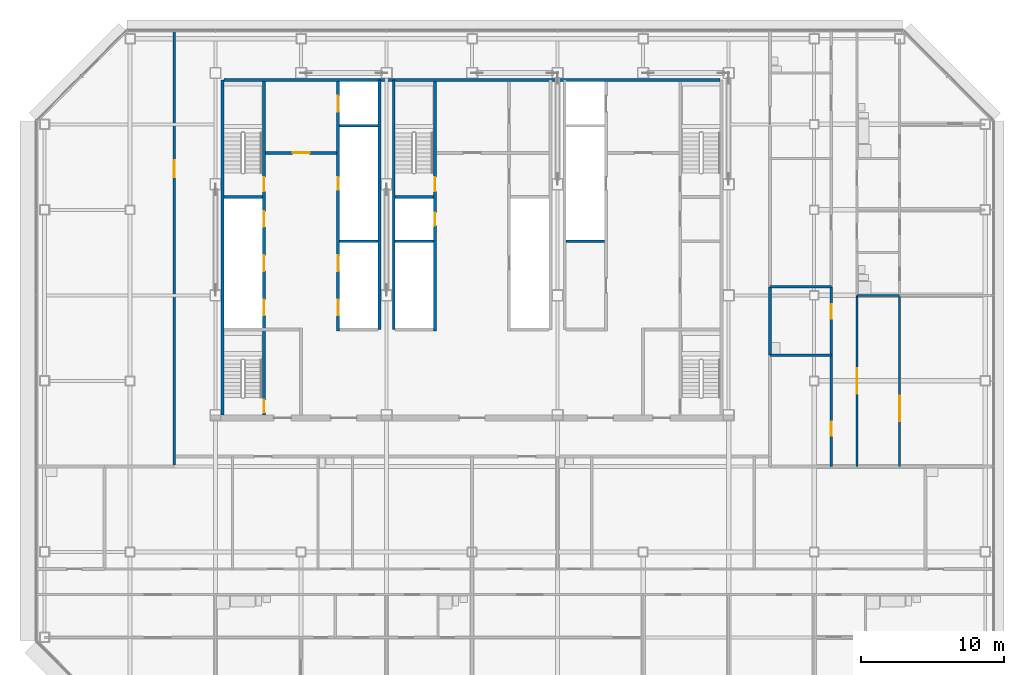
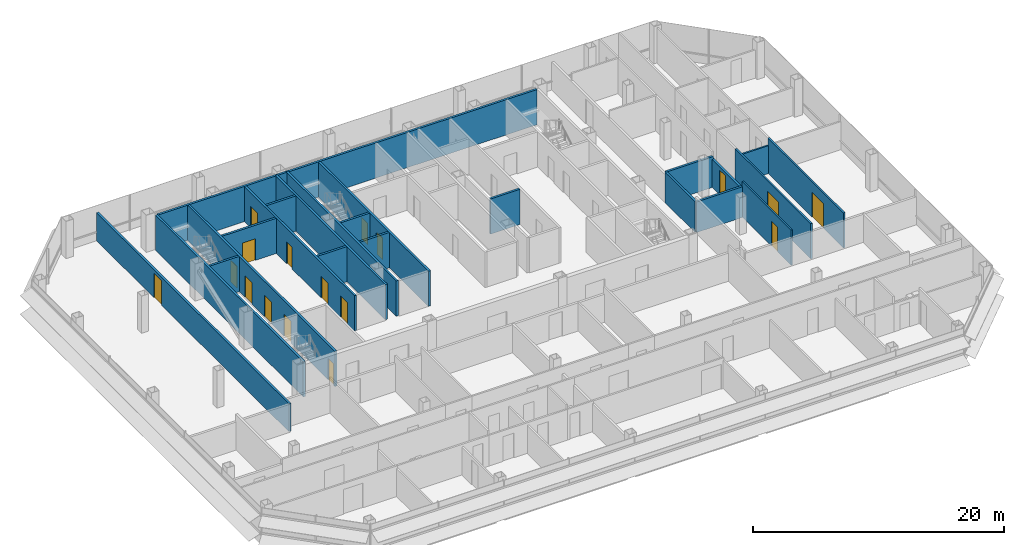
# One storey, part 21 of 26: 23 walls, 17 doors, 17 openings.
"""IFC4 building model written with IfcOpenShell, lengths in metres."""

from ifc_helpers import new_model, si_unit, direction, frame, frame_2d, origin, place, context, subcontext, project, spatial, rectangle, extrude, material, layer, layer_set, type_object, element, fill, save


model = new_model("IFC4")

# Units and contexts
model_context = context("Model", 3, precision=1e-05, world=origin(), true_north=direction((0.0, 1.0)))
body_context = subcontext(model_context, "Body", "Model", "MODEL_VIEW")
ifc_project = project(units=[si_unit("LENGTHUNIT", "METRE"), si_unit("AREAUNIT", "SQUARE_METRE"), si_unit("VOLUMEUNIT", "CUBIC_METRE"), si_unit("PLANEANGLEUNIT", "RADIAN"), si_unit("MASSUNIT", "GRAM", prefix="KILO")], contexts=[model_context])

# Site, building, storey
site_placement = place(None, origin())
site = spatial("IfcSite", under=ifc_project, at=site_placement, CompositionType="ELEMENT")
building_placement = place(site_placement, origin())
building = spatial("IfcBuilding", under=site, at=building_placement, Name="Sorahane Residences", CompositionType="ELEMENT")
storey_placement = place(building_placement, frame((0.0, 0.0, 151.0)))
storey = spatial("IfcBuildingStorey", under=building, at=storey_placement, Name="L34", CompositionType="ELEMENT", Elevation=151.0)

# Walls
ifc_material_1 = material(Name="Concrete C30", Category="concrete")
ifc_layer_1 = layer(ifc_material_1, 0.199951171875)
ifc_layer_set_1 = layer_set([ifc_layer_1], Name="Core face wall 200 EI 180")
wall_type_1 = type_object("IfcWallType", Name="Core face wall 200 EI 180", PredefinedType="SOLIDWALL", material=ifc_layer_set_1)
wall_1_placement = place(storey_placement, frame((6.5, 21.60009765625, 0.0), z_axis=(0.0, 0.0, 1.0), x_axis=(0.0, 1.0, 0.0)))
element("IfcWall", 1, at=wall_1_placement, inside=storey, type_object=wall_type_1, Name="L34 core face wall", PredefinedType="SOLIDWALL", context=body_context, shape_type="SweptSolid", body=[
    extrude(rectangle(XDim=23.5, YDim=0.199951171875, at=frame_2d((11.75, 0.0))), origin(), (0.0, 0.0, 1.0), 3.419921875),
])
wall_2_placement = place(storey_placement, frame((6.60009765625, 45.10009765625, 0.0), z_axis=(0.0, 0.0, 1.0), x_axis=(1.0, 0.0, 0.0)))
element("IfcWall", 2, at=wall_2_placement, inside=storey, type_object=wall_type_1, Name="L34 core face wall", PredefinedType="SOLIDWALL", context=body_context, shape_type="SweptSolid", body=[
    extrude(rectangle(XDim=34.7998046875, YDim=0.199951171875, at=frame_2d((17.39990234375, 0.0))), origin(), (0.0, 0.0, 1.0), 3.419921875),
])
for number, where, z_axis, x_axis, name in (
    (3, (17.5, 27.60009765625, 0.0), (0.0, 0.0, 1.0), (0.0, 1.0, 0.0), "L34 core face wall"),
    (4, (18.5, 27.60009765625, 0.0), (0.0, 0.0, 1.0), (0.0, 1.0, 0.0), "L34 core face wall"),
):
    element("IfcWall", number, at=place(storey_placement, frame(where, z_axis=z_axis, x_axis=x_axis)), inside=storey, type_object=wall_type_1, Name=name, PredefinedType="SOLIDWALL", context=body_context, shape_type="SweptSolid", body=[
        extrude(rectangle(XDim=17.5, YDim=0.199951171875, at=frame_2d((8.75, 0.0))), origin(), (0.0, 0.0, 1.0), 3.419921875),
    ])

# Wall, opening, door
ifc_material_2 = material(Name="Concrete blockwork C20 wall", Category="masonry")
ifc_layer_2 = layer(ifc_material_2, 0.199951171875)
ifc_layer_set_2 = layer_set([ifc_layer_2], Name="Corridor wall 200 EI 120")
wall_type_2 = type_object("IfcWallType", Name="Corridor wall 200 EI 120", PredefinedType="SOLIDWALL", material=ifc_layer_set_2)
wall_3_placement = place(storey_placement, frame((3.10009765625, 18.0, 0.0), z_axis=(0.0, 0.0, 1.0), x_axis=(0.0, 1.0, 0.0)))
wall_3 = element("IfcWall", 5, at=wall_3_placement, inside=storey, type_object=wall_type_2, Name="L34 corridor wall", PredefinedType="SOLIDWALL", context=body_context, shape_type="SweptSolid", body=[
    extrude(rectangle(XDim=30.60009765625, YDim=0.199951171875, at=frame_2d((15.300048828125, 0.0))), origin(), (0.0, 0.0, 1.0), 2.719970703125),
])
opening_1_placement = place(wall_3_placement, frame((20.27001953125, 0.0, 0.0)))
opening_1 = element("IfcOpeningElement", 6, at=opening_1_placement, cuts=wall_3, Name="Opening L34-45", PredefinedType="OPENING", context=body_context, shape_type="SweptSolid", body=[
    extrude(rectangle(XDim=1.199951171875, YDim=2.39990234375, at=frame_2d((0.60009765625, 1.199951171875))), frame((0.0, 0.10986328125, 0.0), z_axis=(0.0, -1.0, 0.0), x_axis=(1.0, 0.0, 0.0)), (0.0, 0.0, 1.0), 0.219970703125),
])
ifc_material_3 = material(Name="Steel", Category="steel")
door_type_1 = type_object("IfcDoorType", Name="Lobby door 1200x2400 FD60", OperationType="NOTDEFINED", PredefinedType="DOOR", material=ifc_material_3)
door_1_placement = place(opening_1_placement, origin())
door_1 = element("IfcDoor", 7, at=door_1_placement, inside=storey, type_object=door_type_1, Name="Lobby door L34-45", OperationType="SINGLE_SWING_RIGHT", OverallHeight=2.39990234375, OverallWidth=1.199951171875, PredefinedType="DOOR", context=body_context, shape_type="SweptSolid", body=[
    extrude(rectangle(XDim=1.199951171875, YDim=2.39990234375, at=frame_2d((0.60009765625, 1.199951171875))), frame((0.0, 0.02490234375, 0.0), z_axis=(0.0, -1.0, 0.0), x_axis=(1.0, 0.0, 0.0)), (0.0, 0.0, 1.0), 0.050048828125),
])
fill(opening_1, door_1)

ifc_material_4 = material(Name="Concrete C30", Category="concrete")
ifc_layer_3 = layer(ifc_material_4, 0.199951171875)
ifc_layer_set_3 = layer_set([ifc_layer_3], Name="Front room wall 200 EI 120")
wall_type_3 = type_object("IfcWallType", Name="Front room wall 200 EI 120", PredefinedType="PARTITIONING", material=ifc_layer_set_3)
wall_4_placement = place(storey_placement, frame((9.5, 40.0, 0.0), z_axis=(0.0, 0.0, 1.0), x_axis=(1.0, 0.0, 0.0)))
wall_4 = element("IfcWall", 8, at=wall_4_placement, inside=storey, type_object=wall_type_3, Name="L34 front room wall", PredefinedType="PARTITIONING", context=body_context, shape_type="SweptSolid", body=[
    extrude(rectangle(XDim=5.0, YDim=0.199951171875, at=frame_2d((2.5, 0.0))), origin(), (0.0, 0.0, 1.0), 3.419921875),
])
opening_2_placement = place(wall_4_placement, frame((1.89990234375, 0.0, 0.0)))
opening_2 = element("IfcOpeningElement", 9, at=opening_2_placement, cuts=wall_4, Name="Opening L34-C06", PredefinedType="OPENING", context=body_context, shape_type="SweptSolid", body=[
    extrude(rectangle(XDim=1.199951171875, YDim=2.10009765625, at=frame_2d((0.60009765625, 1.050048828125))), frame((0.0, 0.10986328125, 0.0), z_axis=(0.0, -1.0, 0.0), x_axis=(1.0, 0.0, 0.0)), (0.0, 0.0, 1.0), 0.219970703125),
])
ifc_material_5 = material(Name="Steel", Category="steel")
door_type_2 = type_object("IfcDoorType", Name="Front room door 1200x2100 FD120", OperationType="NOTDEFINED", PredefinedType="DOOR", material=ifc_material_5)
door_2_placement = place(opening_2_placement, frame((1.199951171875, 0.0, 0.0), z_axis=(0.0, 0.0, 1.0), x_axis=(-1.0, 0.0, 0.0)))
door_2 = element("IfcDoor", 10, at=door_2_placement, inside=storey, type_object=door_type_2, Name="Front room door Firefighting lobby FF1 front room L34", OperationType="DOUBLE_DOOR_SINGLE_SWING", OverallHeight=2.10009765625, OverallWidth=1.199951171875, PredefinedType="DOOR", context=body_context, shape_type="SweptSolid", body=[
    extrude(rectangle(XDim=1.199951171875, YDim=2.10009765625, at=frame_2d((0.60009765625, 1.050048828125))), frame((0.0, 0.02490234375, 0.0), z_axis=(0.0, -1.0, 0.0), x_axis=(1.0, 0.0, 0.0)), (0.0, 0.0, 1.0), 0.050048828125),
])
fill(opening_2, door_2)

# Wall
ifc_material_6 = material(Name="Concrete blockwork C20 wall", Category="masonry")
ifc_layer_4 = layer(ifc_material_6, 0.199951171875)
ifc_layer_set_4 = layer_set([ifc_layer_4], Name="Kitchen wall 200 EI 180")
wall_type_4 = type_object("IfcWallType", Name="Kitchen wall 200 EI 180", PredefinedType="SOLIDWALL", material=ifc_layer_set_4)
wall_5_placement = place(storey_placement, frame((44.89990234375, 25.800048828125, 0.0), z_axis=(0.0, 0.0, 1.0), x_axis=(0.0, 1.0, 0.0)))
element("IfcWall", 11, at=wall_5_placement, inside=storey, type_object=wall_type_4, Name="L34 kitchen wall", PredefinedType="SOLIDWALL", context=body_context, shape_type="SweptSolid", body=[
    extrude(rectangle(XDim=4.800048828125, YDim=0.199951171875, at=frame_2d((2.39990234375, 0.0))), origin(), (0.0, 0.0, 1.0), 2.969970703125),
])

# Wall, opening, door
wall_6_placement = place(storey_placement, frame((49.199951171875, 25.800048828125, 0.0), z_axis=(0.0, 0.0, 1.0), x_axis=(0.0, 1.0, 0.0)))
wall_6 = element("IfcWall", 12, at=wall_6_placement, inside=storey, type_object=wall_type_4, Name="L34 kitchen wall", PredefinedType="SOLIDWALL", context=body_context, shape_type="SweptSolid", body=[
    extrude(rectangle(XDim=4.800048828125, YDim=0.199951171875, at=frame_2d((2.39990234375, 0.0))), origin(), (0.0, 0.0, 1.0), 2.719970703125),
])
opening_3_placement = place(wall_6_placement, frame((2.56005859375, 0.0, 0.0)))
opening_3 = element("IfcOpeningElement", 13, at=opening_3_placement, cuts=wall_6, Name="Opening L34-30", PredefinedType="OPENING", context=body_context, shape_type="SweptSolid", body=[
    extrude(rectangle(XDim=1.0, YDim=2.39990234375, at=frame_2d((0.5, 1.199951171875))), frame((0.0, 0.10986328125, 0.0), z_axis=(0.0, -1.0, 0.0), x_axis=(1.0, 0.0, 0.0)), (0.0, 0.0, 1.0), 0.219970703125),
])
ifc_material_7 = material(Name="Steel", Category="steel")
door_type_3 = type_object("IfcDoorType", Name="Kitchen door 1000x2400 FD120", OperationType="NOTDEFINED", PredefinedType="DOOR", material=ifc_material_7)
door_3_placement = place(opening_3_placement, origin())
door_3 = element("IfcDoor", 14, at=door_3_placement, inside=storey, type_object=door_type_3, Name="Kitchen door L34-30", OperationType="SINGLE_SWING_RIGHT", OverallHeight=2.39990234375, OverallWidth=1.0, PredefinedType="DOOR", context=body_context, shape_type="SweptSolid", body=[
    extrude(rectangle(XDim=1.0, YDim=2.39990234375, at=frame_2d((0.5, 1.199951171875))), frame((0.0, 0.02490234375, 0.0), z_axis=(0.0, -1.0, 0.0), x_axis=(1.0, 0.0, 0.0)), (0.0, 0.0, 1.0), 0.050048828125),
])
fill(opening_3, door_3)

# Walls
for number, where, z_axis, x_axis, name in (
    (15, (44.89990234375, 25.800048828125, 0.0), (0.0, 0.0, 1.0), (1.0, 0.0, 0.0), "L34 kitchen wall"),
    (16, (44.89990234375, 30.60009765625, 0.0), (0.0, 0.0, 1.0), (1.0, 0.0, 0.0), "L34 kitchen wall"),
):
    element("IfcWall", number, at=place(storey_placement, frame(where, z_axis=z_axis, x_axis=x_axis)), inside=storey, type_object=wall_type_4, Name=name, PredefinedType="SOLIDWALL", context=body_context, shape_type="SweptSolid", body=[
        extrude(rectangle(XDim=4.300048828125, YDim=0.199951171875, at=frame_2d((2.14990234375, 0.0))), origin(), (0.0, 0.0, 1.0), 2.969970703125),
    ])

# Wall, openings, doors
ifc_material_8 = material(Name="Concrete C30", Category="concrete")
ifc_layer_5 = layer(ifc_material_8, 0.199951171875)
ifc_layer_set_5 = layer_set([ifc_layer_5], Name="Lift shaft wall 200 EI 120")
wall_type_5 = type_object("IfcWallType", Name="Lift shaft wall 200 EI 120", PredefinedType="SOLIDWALL", material=ifc_layer_set_5)
wall_7_placement = place(storey_placement, frame((14.60009765625, 27.5, 0.0), z_axis=(0.0, 0.0, 1.0), x_axis=(0.0, 1.0, 0.0)))
wall_7 = element("IfcWall", 17, at=wall_7_placement, inside=storey, type_object=wall_type_5, Name="L34 lift shaft wall", PredefinedType="SOLIDWALL", context=body_context, shape_type="SweptSolid", body=[
    extrude(rectangle(XDim=17.5, YDim=0.199951171875, at=frame_2d((8.75, 0.0))), origin(), (0.0, 0.0, 1.0), 3.419921875),
])
opening_4_placement = place(wall_7_placement, frame((1.10009765625, 0.0, 0.0)))
opening_4 = element("IfcOpeningElement", 18, at=opening_4_placement, cuts=wall_7, Name="Opening L34-C10", PredefinedType="OPENING", context=body_context, shape_type="SweptSolid", body=[
    extrude(rectangle(XDim=1.10009765625, YDim=2.10009765625, at=frame_2d((0.550048828125, 1.050048828125))), frame((0.0, 0.10986328125, 0.0), z_axis=(0.0, -1.0, 0.0), x_axis=(1.0, 0.0, 0.0)), (0.0, 0.0, 1.0), 0.219970703125),
])
opening_5_placement = place(wall_7_placement, frame((4.199951171875, 0.0, 0.0)))
opening_5 = element("IfcOpeningElement", 19, at=opening_5_placement, cuts=wall_7, Name="Opening L34-C11", PredefinedType="OPENING", context=body_context, shape_type="SweptSolid", body=[
    extrude(rectangle(XDim=1.10009765625, YDim=2.10009765625, at=frame_2d((0.550048828125, 1.050048828125))), frame((0.0, 0.10986328125, 0.0), z_axis=(0.0, -1.0, 0.0), x_axis=(1.0, 0.0, 0.0)), (0.0, 0.0, 1.0), 0.219970703125),
])
opening_6_placement = place(wall_7_placement, frame((15.39990234375, 0.0, 0.0)))
opening_6 = element("IfcOpeningElement", 20, at=opening_6_placement, cuts=wall_7, Name="Opening L34-C12", PredefinedType="OPENING", context=body_context, shape_type="SweptSolid", body=[
    extrude(rectangle(XDim=1.10009765625, YDim=2.10009765625, at=frame_2d((0.550048828125, 1.050048828125))), frame((0.0, 0.10986328125, 0.0), z_axis=(0.0, -1.0, 0.0), x_axis=(1.0, 0.0, 0.0)), (0.0, 0.0, 1.0), 0.219970703125),
])
opening_7_placement = place(wall_7_placement, frame((9.89990234375, 0.0, 0.0)))
opening_7 = element("IfcOpeningElement", 21, at=opening_7_placement, cuts=wall_7, Name="Opening L34-C24", PredefinedType="OPENING", context=body_context, shape_type="SweptSolid", body=[
    extrude(rectangle(XDim=0.89990234375, YDim=2.10009765625, at=frame_2d((0.449951171875, 1.050048828125))), frame((0.0, 0.10986328125, 0.0), z_axis=(0.0, -1.0, 0.0), x_axis=(1.0, 0.0, 0.0)), (0.0, 0.0, 1.0), 0.219970703125),
])
ifc_material_9 = material(Name="Aluminium and stainless steel", Category="steel")
door_type_4 = type_object("IfcDoorType", Name="Lift landing door 1100x2100 E 60", OperationType="NOTDEFINED", PredefinedType="DOOR", material=ifc_material_9)
door_4_placement = place(opening_4_placement, origin())
door_4 = element("IfcDoor", 22, at=door_4_placement, inside=storey, type_object=door_type_4, Name="Lift landing door LR4 L34", OperationType="DOUBLE_DOOR_SLIDING", OverallHeight=2.10009765625, OverallWidth=1.10009765625, PredefinedType="DOOR", context=body_context, shape_type="SweptSolid", body=[
    extrude(rectangle(XDim=1.10009765625, YDim=2.10009765625, at=frame_2d((0.550048828125, 1.050048828125))), frame((0.0, 0.02490234375, 0.0), z_axis=(0.0, -1.0, 0.0), x_axis=(1.0, 0.0, 0.0)), (0.0, 0.0, 1.0), 0.050048828125),
])
fill(opening_4, door_4)
door_5_placement = place(opening_5_placement, origin())
door_5 = element("IfcDoor", 23, at=door_5_placement, inside=storey, type_object=door_type_4, Name="Lift landing door LR5 L34", OperationType="DOUBLE_DOOR_SLIDING", OverallHeight=2.10009765625, OverallWidth=1.10009765625, PredefinedType="DOOR", context=body_context, shape_type="SweptSolid", body=[
    extrude(rectangle(XDim=1.10009765625, YDim=2.10009765625, at=frame_2d((0.550048828125, 1.050048828125))), frame((0.0, 0.02490234375, 0.0), z_axis=(0.0, -1.0, 0.0), x_axis=(1.0, 0.0, 0.0)), (0.0, 0.0, 1.0), 0.050048828125),
])
fill(opening_5, door_5)
door_6_placement = place(opening_6_placement, origin())
door_6 = element("IfcDoor", 24, at=door_6_placement, inside=storey, type_object=door_type_4, Name="Lift landing door FF1 L34", OperationType="DOUBLE_DOOR_SLIDING", OverallHeight=2.10009765625, OverallWidth=1.10009765625, PredefinedType="DOOR", context=body_context, shape_type="SweptSolid", body=[
    extrude(rectangle(XDim=1.10009765625, YDim=2.10009765625, at=frame_2d((0.550048828125, 1.050048828125))), frame((0.0, 0.02490234375, 0.0), z_axis=(0.0, -1.0, 0.0), x_axis=(1.0, 0.0, 0.0)), (0.0, 0.0, 1.0), 0.050048828125),
])
fill(opening_6, door_6)
ifc_material_10 = material(Name="Steel", Category="steel")
door_type_5 = type_object("IfcDoorType", Name="Riser door 900x2100 FD120", OperationType="NOTDEFINED", PredefinedType="DOOR", material=ifc_material_10)
door_7_placement = place(opening_7_placement, origin())
door_7 = element("IfcDoor", 25, at=door_7_placement, inside=storey, type_object=door_type_5, Name="Riser door R1 L34", OperationType="SINGLE_SWING_LEFT", OverallHeight=2.10009765625, OverallWidth=0.89990234375, PredefinedType="DOOR", context=body_context, shape_type="SweptSolid", body=[
    extrude(rectangle(XDim=0.89990234375, YDim=2.10009765625, at=frame_2d((0.449951171875, 1.050048828125))), frame((0.0, 0.02490234375, 0.0), z_axis=(0.0, -1.0, 0.0), x_axis=(1.0, 0.0, 0.0)), (0.0, 0.0, 1.0), 0.050048828125),
])
fill(opening_7, door_7)

# Walls
for number, where, z_axis, x_axis, name in (
    (26, (14.699951171875, 33.800048828125, 0.0), (0.0, 0.0, 1.0), (1.0, 0.0, 0.0), "L34 lift shaft wall"),
    (27, (18.60009765625, 33.800048828125, 0.0), (0.0, 0.0, 1.0), (1.0, 0.0, 0.0), "L34 lift shaft wall"),
    (28, (14.699951171875, 41.89990234375, 0.0), (0.0, 0.0, 1.0), (1.0, 0.0, 0.0), "L34 lift shaft wall"),
):
    element("IfcWall", number, at=place(storey_placement, frame(where, z_axis=z_axis, x_axis=x_axis)), inside=storey, type_object=wall_type_5, Name=name, PredefinedType="SOLIDWALL", context=body_context, shape_type="SweptSolid", body=[
        extrude(rectangle(XDim=2.699951171875, YDim=0.199951171875, at=frame_2d((1.35009765625, 0.0))), origin(), (0.0, 0.0, 1.0), 3.419921875),
    ])

# Wall, opening, door
ifc_material_11 = material(Name="Gypsum board partition on steel studs", Category="steel")
ifc_layer_6 = layer(ifc_material_11, 0.14990234375)
ifc_layer_set_6 = layer_set([ifc_layer_6], Name="Partition 150 EI 90")
wall_type_6 = type_object("IfcWallType", Name="Partition 150 EI 90", PredefinedType="PARTITIONING", material=ifc_layer_set_6)
wall_8_placement = place(storey_placement, frame((49.199951171875, 18.0, 0.0), z_axis=(0.0, 0.0, 1.0), x_axis=(0.0, 1.0, 0.0)))
wall_8 = element("IfcWall", 29, at=wall_8_placement, inside=storey, type_object=wall_type_6, Name="L34 partition", PredefinedType="PARTITIONING", context=body_context, shape_type="SweptSolid", body=[
    extrude(rectangle(XDim=7.800048828125, YDim=0.14990234375, at=frame_2d((3.89990234375, 0.0))), origin(), (0.0, 0.0, 1.0), 3.419921875),
])
opening_8_placement = place(wall_8_placement, frame((2.139892578125, 0.0, 0.0)))
opening_8 = element("IfcOpeningElement", 30, at=opening_8_placement, cuts=wall_8, Name="Opening L34-29", PredefinedType="OPENING", context=body_context, shape_type="SweptSolid", body=[
    extrude(rectangle(XDim=1.0, YDim=2.39990234375, at=frame_2d((0.5, 1.199951171875))), frame((0.0, 0.0849609375, 0.0), z_axis=(0.0, -1.0, 0.0), x_axis=(1.0, 0.0, 0.0)), (0.0, 0.0, 1.0), 0.169921875),
])
ifc_material_12 = material(Name="Timber veneered fire door", Category="wood")
door_type_6 = type_object("IfcDoorType", Name="Room door 1000x2400 FD30", OperationType="NOTDEFINED", PredefinedType="DOOR", material=ifc_material_12)
door_8_placement = place(opening_8_placement, origin())
door_8 = element("IfcDoor", 31, at=door_8_placement, inside=storey, type_object=door_type_6, Name="Room door L34-29", OperationType="SINGLE_SWING_RIGHT", OverallHeight=2.39990234375, OverallWidth=1.0, PredefinedType="DOOR", context=body_context, shape_type="SweptSolid", body=[
    extrude(rectangle(XDim=1.0, YDim=2.39990234375, at=frame_2d((0.5, 1.199951171875))), frame((0.0, 0.02490234375, 0.0), z_axis=(0.0, -1.0, 0.0), x_axis=(1.0, 0.0, 0.0)), (0.0, 0.0, 1.0), 0.050048828125),
])
fill(opening_8, door_8)

wall_9_placement = place(storey_placement, frame((51.0, 18.0, 0.0), z_axis=(0.0, 0.0, 1.0), x_axis=(0.0, 1.0, 0.0)))
wall_9 = element("IfcWall", 32, at=wall_9_placement, inside=storey, type_object=wall_type_6, Name="L34 partition", PredefinedType="PARTITIONING", context=body_context, shape_type="SweptSolid", body=[
    extrude(rectangle(XDim=12.0, YDim=0.14990234375, at=frame_2d((6.0, 0.0))), origin(), (0.0, 0.0, 1.0), 3.419921875),
])
opening_9_placement = place(wall_9_placement, frame((5.10009765625, 0.0, 0.0)))
opening_9 = element("IfcOpeningElement", 33, at=opening_9_placement, cuts=wall_9, Name="Opening L34-33", PredefinedType="OPENING", context=body_context, shape_type="SweptSolid", body=[
    extrude(rectangle(XDim=1.800048828125, YDim=2.39990234375, at=frame_2d((0.89990234375, 1.199951171875))), frame((0.0, 0.0849609375, 0.0), z_axis=(0.0, -1.0, 0.0), x_axis=(1.0, 0.0, 0.0)), (0.0, 0.0, 1.0), 0.169921875),
])
ifc_material_13 = material(Name="Timber veneered fire door", Category="wood")
door_type_7 = type_object("IfcDoorType", Name="Double door 1800x2400 FD30", OperationType="NOTDEFINED", PredefinedType="DOOR", material=ifc_material_13)
door_9_placement = place(opening_9_placement, frame((1.800048828125, 0.0, 0.0), z_axis=(0.0, 0.0, 1.0), x_axis=(-1.0, 0.0, 0.0)))
door_9 = element("IfcDoor", 34, at=door_9_placement, inside=storey, type_object=door_type_7, Name="Double door L34-33", OperationType="SINGLE_SWING_RIGHT", OverallHeight=2.39990234375, OverallWidth=1.800048828125, PredefinedType="DOOR", context=body_context, shape_type="SweptSolid", body=[
    extrude(rectangle(XDim=1.800048828125, YDim=2.39990234375, at=frame_2d((0.89990234375, 1.199951171875))), frame((0.0, 0.02490234375, 0.0), z_axis=(0.0, -1.0, 0.0), x_axis=(1.0, 0.0, 0.0)), (0.0, 0.0, 1.0), 0.050048828125),
])
fill(opening_9, door_9)

wall_10_placement = place(storey_placement, frame((54.0, 18.0, 0.0), z_axis=(0.0, 0.0, 1.0), x_axis=(0.0, 1.0, 0.0)))
wall_10 = element("IfcWall", 35, at=wall_10_placement, inside=storey, type_object=wall_type_6, Name="L34 partition", PredefinedType="PARTITIONING", context=body_context, shape_type="SweptSolid", body=[
    extrude(rectangle(XDim=12.0, YDim=0.14990234375, at=frame_2d((6.0, 0.0))), origin(), (0.0, 0.0, 1.0), 3.419921875),
])
opening_10_placement = place(wall_10_placement, frame((3.159912109375, 0.0, 0.0)))
opening_10 = element("IfcOpeningElement", 36, at=opening_10_placement, cuts=wall_10, Name="Opening L34-36", PredefinedType="OPENING", context=body_context, shape_type="SweptSolid", body=[
    extrude(rectangle(XDim=1.800048828125, YDim=2.39990234375, at=frame_2d((0.89990234375, 1.199951171875))), frame((0.0, 0.0849609375, 0.0), z_axis=(0.0, -1.0, 0.0), x_axis=(1.0, 0.0, 0.0)), (0.0, 0.0, 1.0), 0.169921875),
])
door_10_placement = place(opening_10_placement, frame((1.800048828125, 0.0, 0.0), z_axis=(0.0, 0.0, 1.0), x_axis=(-1.0, 0.0, 0.0)))
door_10 = element("IfcDoor", 37, at=door_10_placement, inside=storey, type_object=door_type_7, Name="Double door L34-36", OperationType="SINGLE_SWING_RIGHT", OverallHeight=2.39990234375, OverallWidth=1.800048828125, PredefinedType="DOOR", context=body_context, shape_type="SweptSolid", body=[
    extrude(rectangle(XDim=1.800048828125, YDim=2.39990234375, at=frame_2d((0.89990234375, 1.199951171875))), frame((0.0, 0.02490234375, 0.0), z_axis=(0.0, -1.0, 0.0), x_axis=(1.0, 0.0, 0.0)), (0.0, 0.0, 1.0), 0.050048828125),
])
fill(opening_10, door_10)

# Wall
ifc_material_14 = material(Name="Concrete C30", Category="concrete")
ifc_layer_7 = layer(ifc_material_14, 0.199951171875)
ifc_layer_set_7 = layer_set([ifc_layer_7], Name="Riser shaft wall 200 EI 120")
wall_type_7 = type_object("IfcWallType", Name="Riser shaft wall 200 EI 120", PredefinedType="SOLIDWALL", material=ifc_layer_set_7)
wall_11_placement = place(storey_placement, frame((30.60009765625, 33.800048828125, 0.0), z_axis=(0.0, 0.0, 1.0), x_axis=(1.0, 0.0, 0.0)))
element("IfcWall", 38, at=wall_11_placement, inside=storey, type_object=wall_type_7, Name="L34 riser wall", PredefinedType="SOLIDWALL", context=body_context, shape_type="SweptSolid", body=[
    extrude(rectangle(XDim=2.699951171875, YDim=0.199951171875, at=frame_2d((1.35009765625, 0.0))), origin(), (0.0, 0.0, 1.0), 3.419921875),
])

# Wall, openings, doors
ifc_material_15 = material(Name="Concrete C30", Category="concrete")
ifc_layer_8 = layer(ifc_material_15, 0.199951171875)
ifc_layer_set_8 = layer_set([ifc_layer_8], Name="Stair enclosure wall 200 EI 120")
wall_type_8 = type_object("IfcWallType", Name="Stair enclosure wall 200 EI 120", PredefinedType="SOLIDWALL", material=ifc_layer_set_8)
wall_12_placement = place(storey_placement, frame((21.39990234375, 27.5, 0.0), z_axis=(0.0, 0.0, 1.0), x_axis=(0.0, 1.0, 0.0)))
wall_12 = element("IfcWall", 39, at=wall_12_placement, inside=storey, type_object=wall_type_8, Name="L34 stair enclosure wall", PredefinedType="SOLIDWALL", context=body_context, shape_type="SweptSolid", body=[
    extrude(rectangle(XDim=17.5, YDim=0.199951171875, at=frame_2d((8.75, 0.0))), origin(), (0.0, 0.0, 1.0), 3.419921875),
])
opening_11_placement = place(wall_12_placement, frame((9.800048828125, 0.0, 0.0)))
opening_11 = element("IfcOpeningElement", 40, at=opening_11_placement, cuts=wall_12, Name="Opening L34-C21", PredefinedType="OPENING", context=body_context, shape_type="SweptSolid", body=[
    extrude(rectangle(XDim=1.0, YDim=2.10009765625, at=frame_2d((0.5, 1.050048828125))), frame((0.0, 0.10986328125, 0.0), z_axis=(0.0, -1.0, 0.0), x_axis=(1.0, 0.0, 0.0)), (0.0, 0.0, 1.0), 0.219970703125),
])
opening_12_placement = place(wall_12_placement, frame((7.39990234375, 0.0, 0.0)))
opening_12 = element("IfcOpeningElement", 41, at=opening_12_placement, cuts=wall_12, Name="Opening L34-C26", PredefinedType="OPENING", context=body_context, shape_type="SweptSolid", body=[
    extrude(rectangle(XDim=0.89990234375, YDim=2.10009765625, at=frame_2d((0.449951171875, 1.050048828125))), frame((0.0, 0.10986328125, 0.0), z_axis=(0.0, -1.0, 0.0), x_axis=(1.0, 0.0, 0.0)), (0.0, 0.0, 1.0), 0.219970703125),
])
door_11_placement = place(opening_12_placement, frame((0.89990234375, 0.0, 0.0), z_axis=(0.0, 0.0, 1.0), x_axis=(-1.0, 0.0, 0.0)))
door_11 = element("IfcDoor", 42, at=door_11_placement, inside=storey, type_object=door_type_5, Name="Riser door R3 L34", OperationType="SINGLE_SWING_LEFT", OverallHeight=2.10009765625, OverallWidth=0.89990234375, PredefinedType="DOOR", context=body_context, shape_type="SweptSolid", body=[
    extrude(rectangle(XDim=0.89990234375, YDim=2.10009765625, at=frame_2d((0.449951171875, 1.050048828125))), frame((0.0, 0.02490234375, 0.0), z_axis=(0.0, -1.0, 0.0), x_axis=(1.0, 0.0, 0.0)), (0.0, 0.0, 1.0), 0.050048828125),
])
fill(opening_12, door_11)
ifc_material_16 = material(Name="Steel", Category="steel")
door_type_8 = type_object("IfcDoorType", Name="Stair door 1000x2100 FD120", OperationType="NOTDEFINED", PredefinedType="DOOR", material=ifc_material_16)
door_12_placement = place(opening_11_placement, origin())
door_12 = element("IfcDoor", 43, at=door_12_placement, inside=storey, type_object=door_type_8, Name="Stair door S3 L34", OperationType="SINGLE_SWING_LEFT", OverallHeight=2.10009765625, OverallWidth=1.0, PredefinedType="DOOR", context=body_context, shape_type="SweptSolid", body=[
    extrude(rectangle(XDim=1.0, YDim=2.10009765625, at=frame_2d((0.5, 1.050048828125))), frame((0.0, 0.02490234375, 0.0), z_axis=(0.0, -1.0, 0.0), x_axis=(1.0, 0.0, 0.0)), (0.0, 0.0, 1.0), 0.050048828125),
])
fill(opening_11, door_12)

wall_13_placement = place(storey_placement, frame((9.39990234375, 21.60009765625, 0.0), z_axis=(0.0, 0.0, 1.0), x_axis=(0.0, 1.0, 0.0)))
wall_13 = element("IfcWall", 44, at=wall_13_placement, inside=storey, type_object=wall_type_8, Name="L34 stair enclosure wall", PredefinedType="SOLIDWALL", context=body_context, shape_type="SweptSolid", body=[
    extrude(rectangle(XDim=23.39990234375, YDim=0.199951171875, at=frame_2d((11.699951171875, 0.0))), origin(), (0.0, 0.0, 1.0), 3.419921875),
])
opening_13_placement = place(wall_13_placement, frame((7.0, 0.0, 0.0)))
opening_13 = element("IfcOpeningElement", 45, at=opening_13_placement, cuts=wall_13, Name="Opening L34-C13", PredefinedType="OPENING", context=body_context, shape_type="SweptSolid", body=[
    extrude(rectangle(XDim=1.10009765625, YDim=2.10009765625, at=frame_2d((0.550048828125, 1.050048828125))), frame((0.0, 0.10986328125, 0.0), z_axis=(0.0, -1.0, 0.0), x_axis=(1.0, 0.0, 0.0)), (0.0, 0.0, 1.0), 0.219970703125),
])
opening_14_placement = place(wall_13_placement, frame((10.10009765625, 0.0, 0.0)))
opening_14 = element("IfcOpeningElement", 46, at=opening_14_placement, cuts=wall_13, Name="Opening L34-C14", PredefinedType="OPENING", context=body_context, shape_type="SweptSolid", body=[
    extrude(rectangle(XDim=1.10009765625, YDim=2.10009765625, at=frame_2d((0.550048828125, 1.050048828125))), frame((0.0, 0.10986328125, 0.0), z_axis=(0.0, -1.0, 0.0), x_axis=(1.0, 0.0, 0.0)), (0.0, 0.0, 1.0), 0.219970703125),
])
opening_15_placement = place(wall_13_placement, frame((13.199951171875, 0.0, 0.0)))
opening_15 = element("IfcOpeningElement", 47, at=opening_15_placement, cuts=wall_13, Name="Opening L34-C15", PredefinedType="OPENING", context=body_context, shape_type="SweptSolid", body=[
    extrude(rectangle(XDim=1.10009765625, YDim=2.10009765625, at=frame_2d((0.550048828125, 1.050048828125))), frame((0.0, 0.10986328125, 0.0), z_axis=(0.0, -1.0, 0.0), x_axis=(1.0, 0.0, 0.0)), (0.0, 0.0, 1.0), 0.219970703125),
])
opening_16_placement = place(wall_13_placement, frame((15.699951171875, 0.0, 0.0)))
opening_16 = element("IfcOpeningElement", 48, at=opening_16_placement, cuts=wall_13, Name="Opening L34-C19", PredefinedType="OPENING", context=body_context, shape_type="SweptSolid", body=[
    extrude(rectangle(XDim=1.0, YDim=2.10009765625, at=frame_2d((0.5, 1.050048828125))), frame((0.0, 0.10986328125, 0.0), z_axis=(0.0, -1.0, 0.0), x_axis=(1.0, 0.0, 0.0)), (0.0, 0.0, 1.0), 0.219970703125),
])
opening_17_placement = place(wall_13_placement, frame((0.175048828125, 0.0, 0.0)))
opening_17 = element("IfcOpeningElement", 49, at=opening_17_placement, cuts=wall_13, Name="Opening L34-C22", PredefinedType="OPENING", context=body_context, shape_type="SweptSolid", body=[
    extrude(rectangle(XDim=0.89990234375, YDim=2.10009765625, at=frame_2d((0.449951171875, 1.050048828125))), frame((0.0, 0.10986328125, 0.0), z_axis=(0.0, -1.0, 0.0), x_axis=(1.0, 0.0, 0.0)), (0.0, 0.0, 1.0), 0.219970703125),
])
door_13_placement = place(opening_13_placement, origin())
door_13 = element("IfcDoor", 50, at=door_13_placement, inside=storey, type_object=door_type_4, Name="Lift landing door LR1 L34", OperationType="DOUBLE_DOOR_SLIDING", OverallHeight=2.10009765625, OverallWidth=1.10009765625, PredefinedType="DOOR", context=body_context, shape_type="SweptSolid", body=[
    extrude(rectangle(XDim=1.10009765625, YDim=2.10009765625, at=frame_2d((0.550048828125, 1.050048828125))), frame((0.0, 0.02490234375, 0.0), z_axis=(0.0, -1.0, 0.0), x_axis=(1.0, 0.0, 0.0)), (0.0, 0.0, 1.0), 0.050048828125),
])
fill(opening_13, door_13)
door_14_placement = place(opening_14_placement, origin())
door_14 = element("IfcDoor", 51, at=door_14_placement, inside=storey, type_object=door_type_4, Name="Lift landing door LR2 L34", OperationType="DOUBLE_DOOR_SLIDING", OverallHeight=2.10009765625, OverallWidth=1.10009765625, PredefinedType="DOOR", context=body_context, shape_type="SweptSolid", body=[
    extrude(rectangle(XDim=1.10009765625, YDim=2.10009765625, at=frame_2d((0.550048828125, 1.050048828125))), frame((0.0, 0.02490234375, 0.0), z_axis=(0.0, -1.0, 0.0), x_axis=(1.0, 0.0, 0.0)), (0.0, 0.0, 1.0), 0.050048828125),
])
fill(opening_14, door_14)
door_15_placement = place(opening_15_placement, origin())
door_15 = element("IfcDoor", 52, at=door_15_placement, inside=storey, type_object=door_type_4, Name="Lift landing door LR3 L34", OperationType="DOUBLE_DOOR_SLIDING", OverallHeight=2.10009765625, OverallWidth=1.10009765625, PredefinedType="DOOR", context=body_context, shape_type="SweptSolid", body=[
    extrude(rectangle(XDim=1.10009765625, YDim=2.10009765625, at=frame_2d((0.550048828125, 1.050048828125))), frame((0.0, 0.02490234375, 0.0), z_axis=(0.0, -1.0, 0.0), x_axis=(1.0, 0.0, 0.0)), (0.0, 0.0, 1.0), 0.050048828125),
])
fill(opening_15, door_15)
door_16_placement = place(opening_16_placement, origin())
door_16 = element("IfcDoor", 53, at=door_16_placement, inside=storey, type_object=door_type_8, Name="Stair door S1 L34", OperationType="SINGLE_SWING_LEFT", OverallHeight=2.10009765625, OverallWidth=1.0, PredefinedType="DOOR", context=body_context, shape_type="SweptSolid", body=[
    extrude(rectangle(XDim=1.0, YDim=2.10009765625, at=frame_2d((0.5, 1.050048828125))), frame((0.0, 0.02490234375, 0.0), z_axis=(0.0, -1.0, 0.0), x_axis=(1.0, 0.0, 0.0)), (0.0, 0.0, 1.0), 0.050048828125),
])
fill(opening_16, door_16)
ifc_material_17 = material(Name="Steel", Category="steel")
door_type_9 = type_object("IfcDoorType", Name="Stair door 900x2100 FD120", OperationType="NOTDEFINED", PredefinedType="DOOR", material=ifc_material_17)
door_17_placement = place(opening_17_placement, origin())
door_17 = element("IfcDoor", 54, at=door_17_placement, inside=storey, type_object=door_type_9, Name="Stair door S4 L34", OperationType="SINGLE_SWING_LEFT", OverallHeight=2.10009765625, OverallWidth=0.89990234375, PredefinedType="DOOR", context=body_context, shape_type="SweptSolid", body=[
    extrude(rectangle(XDim=0.89990234375, YDim=2.10009765625, at=frame_2d((0.449951171875, 1.050048828125))), frame((0.0, 0.02490234375, 0.0), z_axis=(0.0, -1.0, 0.0), x_axis=(1.0, 0.0, 0.0)), (0.0, 0.0, 1.0), 0.050048828125),
])
fill(opening_17, door_17)

# Walls
for number, where, z_axis, x_axis, name in (
    (55, (18.60009765625, 36.89990234375, 0.0), (0.0, 0.0, 1.0), (1.0, 0.0, 0.0), "L34 stair enclosure wall"),
    (56, (6.60009765625, 36.89990234375, 0.0), (0.0, 0.0, 1.0), (1.0, 0.0, 0.0), "L34 stair enclosure wall"),
):
    element("IfcWall", number, at=place(storey_placement, frame(where, z_axis=z_axis, x_axis=x_axis)), inside=storey, type_object=wall_type_8, Name=name, PredefinedType="SOLIDWALL", context=body_context, shape_type="SweptSolid", body=[
        extrude(rectangle(XDim=2.699951171875, YDim=0.199951171875, at=frame_2d((1.35009765625, 0.0))), origin(), (0.0, 0.0, 1.0), 3.419921875),
    ])
ifc_material_18 = material(Name="Gypsum board partition on steel studs", Category="steel")
ifc_layer_9 = layer(ifc_material_18, 0.14990234375)
ifc_layer_set_9 = layer_set([ifc_layer_9], Name="Wet wall 150 EI 90")
wall_type_9 = type_object("IfcWallType", Name="Wet wall 150 EI 90", PredefinedType="PARTITIONING", material=ifc_layer_set_9)
wall_14_placement = place(storey_placement, frame((51.0, 30.0, 0.0), z_axis=(0.0, 0.0, 1.0), x_axis=(1.0, 0.0, 0.0)))
element("IfcWall", 57, at=wall_14_placement, inside=storey, type_object=wall_type_9, Name="L34 wet wall", PredefinedType="PARTITIONING", context=body_context, shape_type="SweptSolid", body=[
    extrude(rectangle(XDim=3.0, YDim=0.14990234375, at=frame_2d((1.5, 0.0))), origin(), (0.0, 0.0, 1.0), 2.719970703125),
])

save(model, "model.ifc")
